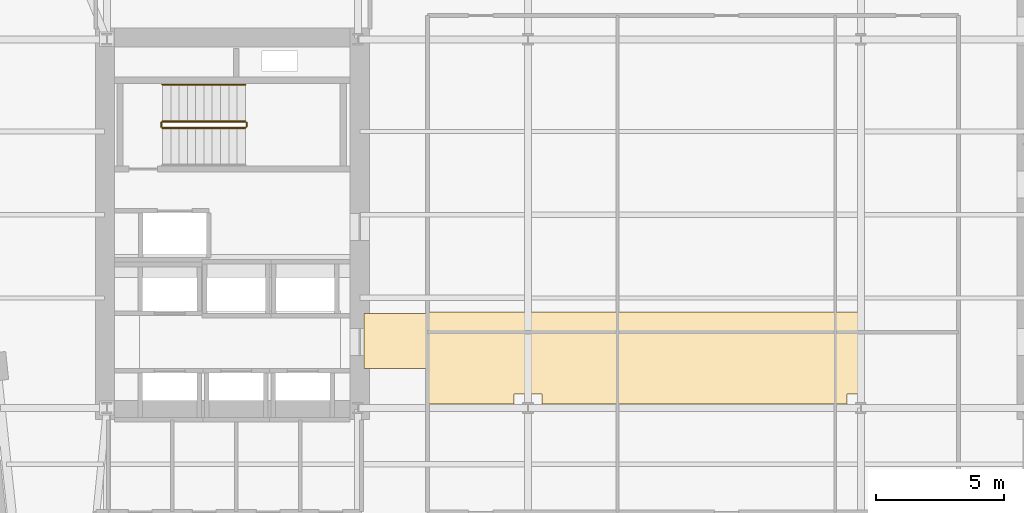
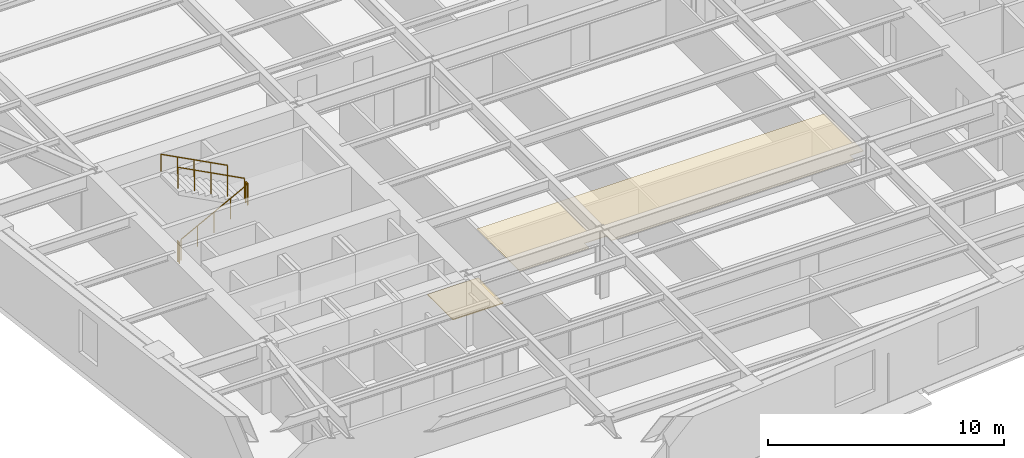
# One storey, part 10 of 15: 5 railings, 2 coverings.
"""IFC4 building model written with IfcOpenShell, lengths in metres."""

from ifc_helpers import new_model, si_unit, direction, frame, origin, origin_2d, place, context, subcontext, project, spatial, polyline, circle, outline, extrude, material, layer, layer_set, type_object, element, save


model = new_model("IFC4")

# Units and contexts
model_context = context("Model", 3, precision=1e-05, world=origin(), true_north=direction((0.0, 1.0)))
body_context = subcontext(model_context, "Body", "Model", "MODEL_VIEW")
ifc_project = project(units=[si_unit("LENGTHUNIT", "METRE"), si_unit("AREAUNIT", "SQUARE_METRE"), si_unit("VOLUMEUNIT", "CUBIC_METRE"), si_unit("PLANEANGLEUNIT", "RADIAN"), si_unit("MASSUNIT", "GRAM", prefix="KILO")], contexts=[model_context])

# Site, building, storey
site_placement = place(None, origin())
site = spatial("IfcSite", under=ifc_project, at=site_placement, CompositionType="ELEMENT")
building_placement = place(site_placement, origin())
building = spatial("IfcBuilding", under=site, at=building_placement, Name="Kolvaren Arena Tower", CompositionType="ELEMENT")
storey_placement = place(building_placement, frame((0.0, 0.0, 142.0)))
storey = spatial("IfcBuildingStorey", under=building, at=storey_placement, Name="L33", CompositionType="ELEMENT", Elevation=142.0)

# Coverings
ifc_material_1 = material(Name="Mineral fibre acoustic ceiling tile", Category="gypsum")
ifc_layer_1 = layer(ifc_material_1, 0.02490234375)
ifc_layer_set_1 = layer_set([ifc_layer_1], Name="Mineral fibre acoustic ceiling tile")
covering_type_1 = type_object("IfcCoveringType", Name="CEIL-ACT-1", PredefinedType="CEILING", material=ifc_layer_set_1)
covering_1_placement = place(storey_placement, frame((0.0, 0.0, 2.52001953125)))
element("IfcCovering", 1, at=covering_1_placement, inside=storey, type_object=covering_type_1, Name="Suspended Ceiling (L33)", PredefinedType="CEILING", context=body_context, shape_type="SweptSolid", body=[
    extrude(outline(polyline([(27.050048828125, 19.60009765625), (27.050048828125, 23.199951171875), (44.10009765625, 23.199951171875), (44.10009765625, 20.0), (43.449951171875, 20.0), (43.449951171875, 19.60009765625), (31.550048828125, 19.60009765625), (31.550048828125, 20.0), (30.449951171875, 20.0), (30.449951171875, 19.60009765625), (27.050048828125, 19.60009765625)])), origin(), (0.0, 0.0, 1.0), 0.02490234375),
])
ifc_material_2 = material(Name="Raised access office floor finish", Category="aluminium")
ifc_layer_2 = layer(ifc_material_2, 0.044921875)
ifc_layer_set_2 = layer_set([ifc_layer_2], Name="Raised access office floor finish")
covering_type_2 = type_object("IfcCoveringType", Name="FLOR-RAF-1", PredefinedType="FLOORING", material=ifc_layer_set_2)
covering_2_placement = place(storey_placement, origin())
element("IfcCovering", 2, at=covering_2_placement, inside=storey, type_object=covering_type_2, Name="Floor Finish (L33)", PredefinedType="FLOORING", context=body_context, shape_type="SweptSolid", body=[
    extrude(outline(polyline([(24.60009765625, 21.0), (24.60009765625, 23.14990234375), (27.080078125, 23.14990234375), (27.080078125, 21.0), (24.60009765625, 21.0)])), origin(), (0.0, 0.0, 1.0), 0.044921875),
])

# Railings
ifc_material_3 = material(Name="Painted galvanized steel", Category="steel")
railing_type_1 = type_object("IfcRailingType", Name="GUARD-ST-110", PredefinedType="GUARDRAIL", material=ifc_material_3)
railing_1_placement = place(storey_placement, frame((16.719970703125, 30.389892578125, 0.17041015625)))
element("IfcRailing", 3, at=railing_1_placement, inside=storey, type_object=railing_type_1, Name="L33 ST-W1 stair guard 1", PredefinedType="GUARDRAIL", context=body_context, shape_type="SweptSolid", body=[
    extrude(circle(Radius=0.02392578125, at=origin_2d()), frame((0.0, 0.0, 1.076171875), z_axis=(0.884993431791, 0.0, 0.465603506952), x_axis=(0.0, 1.0, 0.0)), (0.0, 0.0, 1.0), 3.6611328125),
    extrude(circle(Radius=0.02099609375, at=origin_2d()), origin(), (0.0, 0.0, 1.0), 1.052001953125),
    extrude(circle(Radius=0.02099609375, at=origin_2d()), frame((0.81005859375, 0.0, 0.42626953125)), (0.0, 0.0, 1.0), 1.052001953125),
    extrude(circle(Radius=0.02099609375, at=origin_2d()), frame((1.6201171875, 0.0, 0.852294921875)), (0.0, 0.0, 1.0), 1.052001953125),
    extrude(circle(Radius=0.02099609375, at=origin_2d()), frame((2.429931640625, 0.0, 1.2783203125)), (0.0, 0.0, 1.0), 1.052001953125),
    extrude(circle(Radius=0.02099609375, at=origin_2d()), frame((3.239990234375, 0.0, 1.70458984375)), (0.0, 0.0, 1.0), 1.052001953125),
])
railing_2_placement = place(storey_placement, frame((20.010009765625, 30.43994140625, 1.875)))
element("IfcRailing", 4, at=railing_2_placement, inside=storey, type_object=railing_type_1, Name="L33 ST-W1 stair guard 2", PredefinedType="GUARDRAIL", context=body_context, shape_type="SweptSolid", body=[
    extrude(circle(Radius=0.02392578125, at=origin_2d()), frame((0.0, 0.0, 1.076171875), z_axis=(0.0, 1.0, 0.0), x_axis=(-1.0, 0.0, 0.0)), (0.0, 0.0, 1.0), 0.150146484375),
    extrude(circle(Radius=0.02099609375, at=origin_2d()), origin(), (0.0, 0.0, 1.0), 1.052001953125),
    extrude(circle(Radius=0.02099609375, at=origin_2d()), frame((0.0, 0.150146484375, 0.0)), (0.0, 0.0, 1.0), 1.052001953125),
])
railing_3_placement = place(storey_placement, frame((19.9599609375, 30.639892578125, 2.04541015625)))
element("IfcRailing", 5, at=railing_3_placement, inside=storey, type_object=railing_type_1, Name="L33 ST-W1 stair guard 3", PredefinedType="GUARDRAIL", context=body_context, shape_type="SweptSolid", body=[
    extrude(circle(Radius=0.02392578125, at=origin_2d()), frame((0.0, 0.0, 1.076171875), z_axis=(-0.884993431791, 0.0, 0.465603506952), x_axis=(0.0, -1.0, 0.0)), (0.0, 0.0, 1.0), 3.6611328125),
    extrude(circle(Radius=0.02099609375, at=origin_2d()), origin(), (0.0, 0.0, 1.0), 1.052001953125),
    extrude(circle(Radius=0.02099609375, at=origin_2d()), frame((-0.81005859375, 0.0, 0.42626953125)), (0.0, 0.0, 1.0), 1.052001953125),
    extrude(circle(Radius=0.02099609375, at=origin_2d()), frame((-1.6201171875, 0.0, 0.852294921875)), (0.0, 0.0, 1.0), 1.052001953125),
    extrude(circle(Radius=0.02099609375, at=origin_2d()), frame((-2.429931640625, 0.0, 1.2783203125)), (0.0, 0.0, 1.0), 1.052001953125),
    extrude(circle(Radius=0.02099609375, at=origin_2d()), frame((-3.239990234375, 0.0, 1.70458984375)), (0.0, 0.0, 1.0), 1.052001953125),
])
railing_4_placement = place(storey_placement, frame((16.669921875, 30.43994140625, 0.0)))
element("IfcRailing", 6, at=railing_4_placement, inside=storey, type_object=railing_type_1, Name="L33 ST-W1 stair guard 4", PredefinedType="GUARDRAIL", context=body_context, shape_type="SweptSolid", body=[
    extrude(circle(Radius=0.02392578125, at=origin_2d()), frame((0.0, 0.0, 1.076171875), z_axis=(0.0, 1.0, 0.0), x_axis=(-1.0, 0.0, 0.0)), (0.0, 0.0, 1.0), 0.150146484375),
    extrude(circle(Radius=0.02099609375, at=origin_2d()), origin(), (0.0, 0.0, 1.0), 1.052001953125),
    extrude(circle(Radius=0.02099609375, at=origin_2d()), frame((0.0, 0.150146484375, 0.0)), (0.0, 0.0, 1.0), 1.052001953125),
])
ifc_material_4 = material(Name="Brushed stainless steel handrail", Category="steel")
railing_type_2 = type_object("IfcRailingType", Name="HRAIL-900", PredefinedType="HANDRAIL", material=ifc_material_4)
railing_5_placement = place(storey_placement, frame((19.9599609375, 32.080078125, 2.04541015625)))
element("IfcRailing", 7, at=railing_5_placement, inside=storey, type_object=railing_type_2, Name="L33 ST-W1 stair handrail 2", PredefinedType="HANDRAIL", context=body_context, shape_type="SweptSolid", body=[
    extrude(circle(Radius=0.02392578125, at=origin_2d()), frame((0.0, 0.0, 0.8759765625), z_axis=(-0.884993431791, 0.0, 0.465603506952), x_axis=(0.0, -1.0, 0.0)), (0.0, 0.0, 1.0), 3.6611328125),
    extrude(circle(Radius=0.02099609375, at=origin_2d()), origin(), (0.0, 0.0, 1.0), 0.851806640625),
    extrude(circle(Radius=0.02099609375, at=origin_2d()), frame((-0.81005859375, 0.0, 0.42626953125)), (0.0, 0.0, 1.0), 0.851806640625),
    extrude(circle(Radius=0.02099609375, at=origin_2d()), frame((-1.6201171875, 0.0, 0.852294921875)), (0.0, 0.0, 1.0), 0.851806640625),
    extrude(circle(Radius=0.02099609375, at=origin_2d()), frame((-2.429931640625, 0.0, 1.2783203125)), (0.0, 0.0, 1.0), 0.851806640625),
    extrude(circle(Radius=0.02099609375, at=origin_2d()), frame((-3.239990234375, 0.0, 1.70458984375)), (0.0, 0.0, 1.0), 0.851806640625),
])

save(model, "model.ifc")
